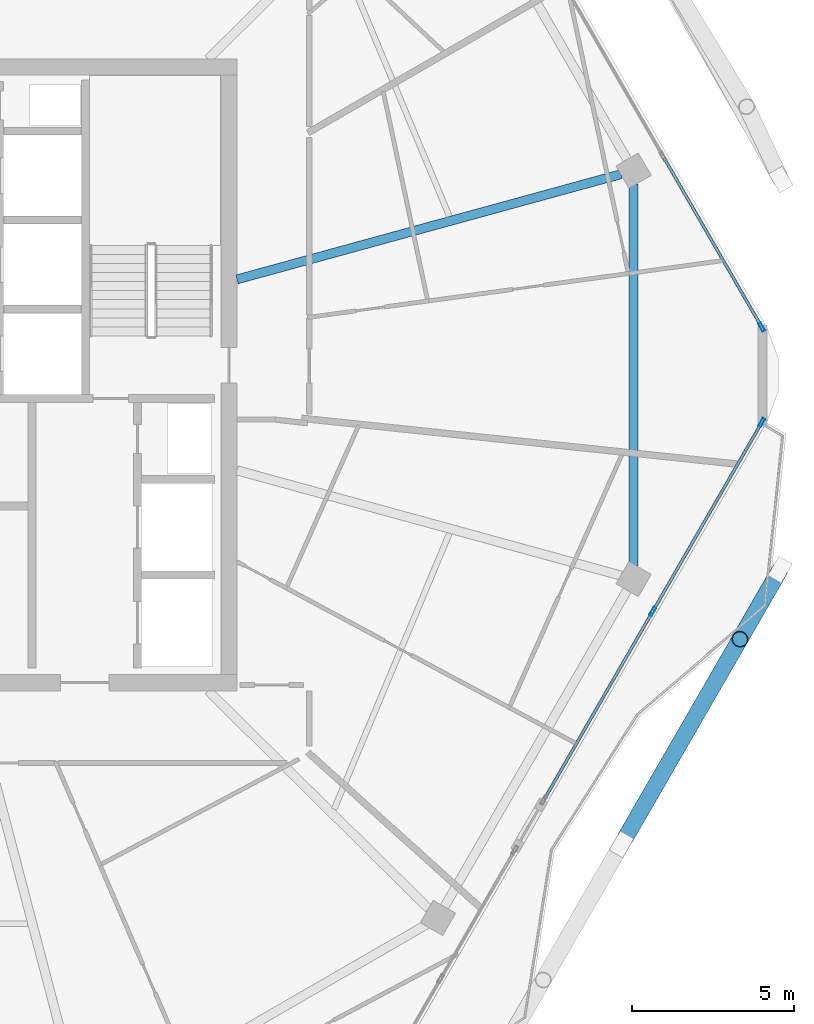
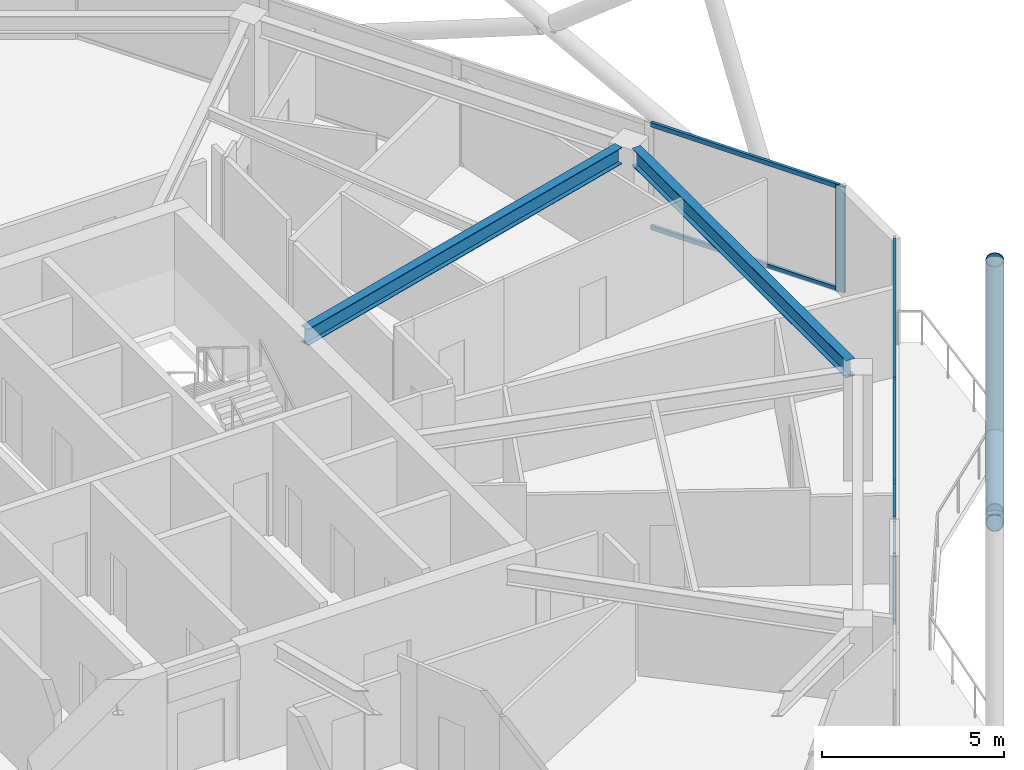
# One storey, part 8 of 23: 11 members, 2 beams, 2 elements without a shape of their own.
"""IFC4 building model written with IfcOpenShell, lengths in metres."""

from ifc_helpers import new_model, si_unit, direction, frame, origin, origin_2d, place, context, subcontext, project, spatial, hollow_rectangle, hollow_circle, i_section, extrude, material, material_profile, profile_set, type_object, element, aggregate, save


model = new_model("IFC4")

# Units and contexts
model_context = context("Model", 3, precision=1e-05, world=origin(), true_north=direction((0.0, 1.0)))
body_context = subcontext(model_context, "Body", "Model", "MODEL_VIEW")
ifc_project = project(units=[si_unit("LENGTHUNIT", "METRE"), si_unit("AREAUNIT", "SQUARE_METRE"), si_unit("VOLUMEUNIT", "CUBIC_METRE"), si_unit("PLANEANGLEUNIT", "RADIAN"), si_unit("MASSUNIT", "GRAM", prefix="KILO")], contexts=[model_context])

# Site, building, storey
site_placement = place(None, origin())
site = spatial("IfcSite", under=ifc_project, at=site_placement, CompositionType="ELEMENT")
building_placement = place(site_placement, origin())
building = spatial("IfcBuilding", under=site, at=building_placement, Name="Zuhravey Tower", CompositionType="ELEMENT")
storey_placement = place(building_placement, frame((0.0, 0.0, 315.800048828125)))
storey = spatial("IfcBuildingStorey", under=building, at=storey_placement, Name="L80", CompositionType="ELEMENT", Elevation=315.800048828125)

# Curtain wall, members
ifc_material_1 = material(Name="Thermally broken anodised aluminium", Category="aluminium")
curtain_wall_type = type_object("IfcCurtainWallType", Name="Zone 3-4 High-Rise Curtain Wall CW4", PredefinedType="NOTDEFINED", material=ifc_material_1)
curtain_wall_1_placement = place(storey_placement, origin())
curtain_wall_1 = element("IfcCurtainWall", 1, at=curtain_wall_1_placement, inside=storey, type_object=curtain_wall_type, Name="L80 CW4 CW-L80-F6-1", PredefinedType="NOTDEFINED")
ifc_material_2 = material(Name="Anodised aluminium", Category="aluminium")
ifc_material_profile_1 = material_profile(ifc_material_2, hollow_rectangle(XDim=0.090087890625, YDim=0.284912109375, WallThickness=0.0048828125, at=origin_2d()), Name="ALU-RHS-90x285x5")
ifc_profile_set_1 = profile_set([ifc_material_profile_1], Name="Anodised aluminium")
member_type_1 = type_object("IfcMemberType", Name="Curtain-Wall Mullion 90x180", PredefinedType="MULLION", material=ifc_profile_set_1)
member_1_placement = place(storey_placement, frame((62.94580078125, 30.5234375, 0.0), z_axis=(0.0, 0.0, 1.0), x_axis=(0.866027121742, -0.499997024399, 0.0)))
member_1 = element("IfcMember", 2, at=member_1_placement, type_object=member_type_1, Name="CW4 mullion 1", PredefinedType="MULLION", context=body_context, shape_type="SweptSolid", body=[
    extrude(hollow_rectangle(XDim=0.090087890625, YDim=0.284912109375, WallThickness=0.0048828125, at=origin_2d()), origin(), (0.0, 0.0, 1.0), 3.550048828125),
])
member_2_placement = place(storey_placement, frame((59.58203125, 24.697021484375, 0.0), z_axis=(0.0, 0.0, 1.0), x_axis=(0.866027121742, -0.499997024399, 0.0)))
member_2 = element("IfcMember", 3, at=member_2_placement, type_object=member_type_1, Name="CW4 mullion 2", PredefinedType="MULLION", context=body_context, shape_type="SweptSolid", body=[
    extrude(hollow_rectangle(XDim=0.090087890625, YDim=0.284912109375, WallThickness=0.0048828125, at=origin_2d()), origin(), (0.0, 0.0, 1.0), 3.550048828125),
])

# Curtain wall, member
curtain_wall_2_placement = place(storey_placement, origin())
curtain_wall_2 = element("IfcCurtainWall", 4, at=curtain_wall_2_placement, inside=storey, type_object=curtain_wall_type, Name="L80 CW4 CW-L80-F1-1", PredefinedType="NOTDEFINED")
member_3_placement = place(storey_placement, frame((62.94580078125, 33.4765625, 0.0), z_axis=(0.0, 0.0, 1.0), x_axis=(0.866025511541, 0.49999981336, 0.0)))
member_3 = element("IfcMember", 5, at=member_3_placement, type_object=member_type_1, Name="CW4 mullion 5", PredefinedType="MULLION", context=body_context, shape_type="SweptSolid", body=[
    extrude(hollow_rectangle(XDim=0.090087890625, YDim=0.284912109375, WallThickness=0.0048828125, at=origin_2d()), origin(), (0.0, 0.0, 1.0), 3.550048828125),
])

# Member
ifc_material_profile_2 = material_profile(ifc_material_2, hollow_rectangle(XDim=0.090087890625, YDim=0.14990234375, WallThickness=0.0048828125, at=origin_2d()), Name="ALU-RHS-90x150x5")
ifc_profile_set_2 = profile_set([ifc_material_profile_2], Name="Anodised aluminium")
member_type_2 = type_object("IfcMemberType", Name="Curtain-Wall Transom 90x150", PredefinedType="USERDEFINED", material=ifc_profile_set_2)
member_4_placement = place(storey_placement, frame((62.92333984375, 30.484619140625, 0.044921875), z_axis=(-0.499976089983, -0.866039207799, 0.0), x_axis=(0.866039207799, -0.499976089983, 0.0)))
member_4 = element("IfcMember", 6, at=member_4_placement, type_object=member_type_2, Name="CW4 transom 1.1", ObjectType="TRANSOM", PredefinedType="USERDEFINED", context=body_context, shape_type="SweptSolid", body=[
    extrude(hollow_rectangle(XDim=0.090087890625, YDim=0.14990234375, WallThickness=0.0048828125, at=origin_2d()), origin(), (0.0, 0.0, 1.0), 6.637939453125),
])

member_5_placement = place(storey_placement, frame((62.92333984375, 30.484619140625, 3.5048828125), z_axis=(-0.499976089983, -0.866039207799, 0.0), x_axis=(0.866039207799, -0.499976089983, 0.0)))
member_5 = element("IfcMember", 7, at=member_5_placement, type_object=member_type_2, Name="CW4 transom 1.2", ObjectType="TRANSOM", PredefinedType="USERDEFINED", context=body_context, shape_type="SweptSolid", body=[
    extrude(hollow_rectangle(XDim=0.090087890625, YDim=0.14990234375, WallThickness=0.0048828125, at=origin_2d()), origin(), (0.0, 0.0, 1.0), 6.637939453125),
])

member_6_placement = place(storey_placement, frame((59.5595703125, 24.657958984375, 0.044921875), z_axis=(-0.500019600539, -0.866014087112, 0.0), x_axis=(0.866014087112, -0.500019600539, 0.0)))
member_6 = element("IfcMember", 8, at=member_6_placement, type_object=member_type_2, Name="CW4 transom 2.1", ObjectType="TRANSOM", PredefinedType="USERDEFINED", context=body_context, shape_type="SweptSolid", body=[
    extrude(hollow_rectangle(XDim=0.090087890625, YDim=0.14990234375, WallThickness=0.0048828125, at=origin_2d()), origin(), (0.0, 0.0, 1.0), 6.637939453125),
])

member_7_placement = place(storey_placement, frame((59.5595703125, 24.657958984375, 3.5048828125), z_axis=(-0.500019600539, -0.866014087112, 0.0), x_axis=(0.866014087112, -0.500019600539, 0.0)))
member_7 = element("IfcMember", 9, at=member_7_placement, type_object=member_type_2, Name="CW4 transom 2.2", ObjectType="TRANSOM", PredefinedType="USERDEFINED", context=body_context, shape_type="SweptSolid", body=[
    extrude(hollow_rectangle(XDim=0.090087890625, YDim=0.14990234375, WallThickness=0.0048828125, at=origin_2d()), origin(), (0.0, 0.0, 1.0), 6.637939453125),
])

aggregate(curtain_wall_1, [member_1, member_2, member_4, member_5, member_6, member_7])

member_8_placement = place(storey_placement, frame((59.93115234375, 38.6982421875, 0.044921875), z_axis=(0.499982594807, -0.866035452444, 0.0), x_axis=(0.866035452444, 0.499982594807, 0.0)))
member_8 = element("IfcMember", 10, at=member_8_placement, type_object=member_type_2, Name="CW4 transom 4.1", ObjectType="TRANSOM", PredefinedType="USERDEFINED", context=body_context, shape_type="SweptSolid", body=[
    extrude(hollow_rectangle(XDim=0.090087890625, YDim=0.14990234375, WallThickness=0.0048828125, at=origin_2d()), origin(), (0.0, 0.0, 1.0), 5.984619140625),
])

member_9_placement = place(storey_placement, frame((59.93115234375, 38.6982421875, 3.5048828125), z_axis=(0.499982594807, -0.866035452444, 0.0), x_axis=(0.866035452444, 0.499982594807, 0.0)))
member_9 = element("IfcMember", 11, at=member_9_placement, type_object=member_type_2, Name="CW4 transom 4.2", ObjectType="TRANSOM", PredefinedType="USERDEFINED", context=body_context, shape_type="SweptSolid", body=[
    extrude(hollow_rectangle(XDim=0.090087890625, YDim=0.14990234375, WallThickness=0.0048828125, at=origin_2d()), origin(), (0.0, 0.0, 1.0), 5.984619140625),
])

aggregate(curtain_wall_2, [member_3, member_8, member_9])

# Members
ifc_material_3 = material(Name="Steel SM355", Category="steel")
ifc_material_profile_3 = material_profile(ifc_material_3, hollow_circle(Radius=0.25390625, WallThickness=0.02490234375, at=origin_2d()), Name="CHS-508.0x25")
ifc_profile_set_3 = profile_set([ifc_material_profile_3], Name="Steel SM355")
member_type_3 = type_object("IfcMemberType", Name="Exoskeleton Zone 4 Diagrid CHS508x25", PredefinedType="BRACE", material=ifc_profile_set_3)
member_10_placement = place(storey_placement, frame((63.510986328125, 25.982421875, -0.447998046875), z_axis=(-0.155232250241, -0.2688504816, 0.950590535945), x_axis=(0.866009569118, -0.500027425445, 0.0)))
element("IfcMember", 12, at=member_10_placement, inside=storey, type_object=member_type_3, Name="L80 Face 6 Diagrid Brace 4", PredefinedType="BRACE", context=body_context, shape_type="SweptSolid", body=[
    extrude(hollow_circle(Radius=0.25390625, WallThickness=0.02490234375, at=origin_2d()), origin(), (0.0, 0.0, 1.0), 7.961181640625),
])
member_11_placement = place(storey_placement, frame((63.49755859375, 25.958984375, -0.451416015625), z_axis=(-0.466124123637, -0.807353059681, 0.361813955491), x_axis=(0.866026046022, -0.49999888761, 0.0)))
element("IfcMember", 13, at=member_11_placement, inside=storey, type_object=member_type_3, Name="L80 Face 6 Split Diagrid Brace 3A", PredefinedType="BRACE", context=body_context, shape_type="SweptSolid", body=[
    extrude(hollow_circle(Radius=0.25390625, WallThickness=0.02490234375, at=origin_2d()), origin(), (0.0, 0.0, 1.0), 10.223388671875),
])

# Beams
ifc_material_profile_4 = material_profile(ifc_material_3, i_section(OverallWidth=0.280029296875, OverallDepth=0.580078125, WebThickness=0.011962890625, FlangeThickness=0.01904296875, at=origin_2d()), Name="H-580x280x12x19")
ifc_profile_set_4 = profile_set([ifc_material_profile_4], Name="Steel SM355")
beam_type_1 = type_object("IfcBeamType", Name="Perimeter Ring Beam H580x280", PredefinedType="BEAM", material=ifc_profile_set_4)
beam_1_placement = place(storey_placement, frame((58.993408203125, 26.1005859375, 3.260009765625), z_axis=(0.0, 1.0, 0.0), x_axis=(-1.0, 0.0, 0.0)))
element("IfcBeam", 14, at=beam_1_placement, inside=storey, type_object=beam_type_1, Name="L80 PB4 BM-L80-PB-12", PredefinedType="BEAM", context=body_context, shape_type="SweptSolid", body=[
    extrude(i_section(OverallWidth=0.280029296875, OverallDepth=0.580078125, WebThickness=0.011962890625, FlangeThickness=0.01904296875, at=origin_2d()), origin(), (0.0, 0.0, 1.0), 11.798828125),
])
ifc_material_profile_5 = material_profile(ifc_material_3, i_section(OverallWidth=0.280029296875, OverallDepth=0.550048828125, WebThickness=0.010986328125, FlangeThickness=0.01806640625, at=origin_2d()), Name="H-550x280x11x18")
ifc_profile_set_5 = profile_set([ifc_material_profile_5], Name="Steel SM355")
beam_type_2 = type_object("IfcBeamType", Name="Radial Primary Girder H550x280", PredefinedType="BEAM", material=ifc_profile_set_5)
beam_2_placement = place(storey_placement, frame((46.7529296875, 34.947265625, 3.27490234375), z_axis=(0.964427903067, 0.264346022829, 0.0), x_axis=(-0.264346022829, 0.964427903067, 0.0)))
element("IfcBeam", 15, at=beam_2_placement, inside=storey, type_object=beam_type_2, Name="L80 RG4 BM-L80-RAD-01", PredefinedType="BEAM", context=body_context, shape_type="SweptSolid", body=[
    extrude(i_section(OverallWidth=0.280029296875, OverallDepth=0.550048828125, WebThickness=0.010986328125, FlangeThickness=0.01806640625, at=origin_2d()), origin(), (0.0, 0.0, 1.0), 12.2890625),
])

save(model, "model.ifc")
